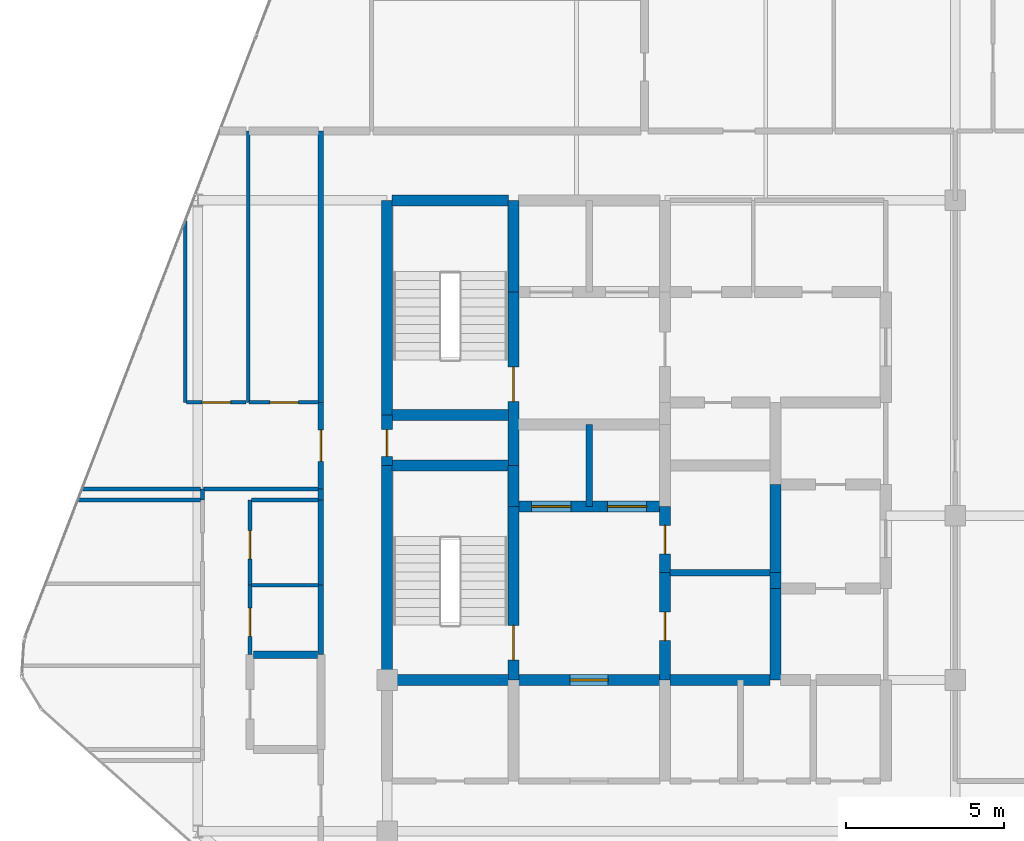
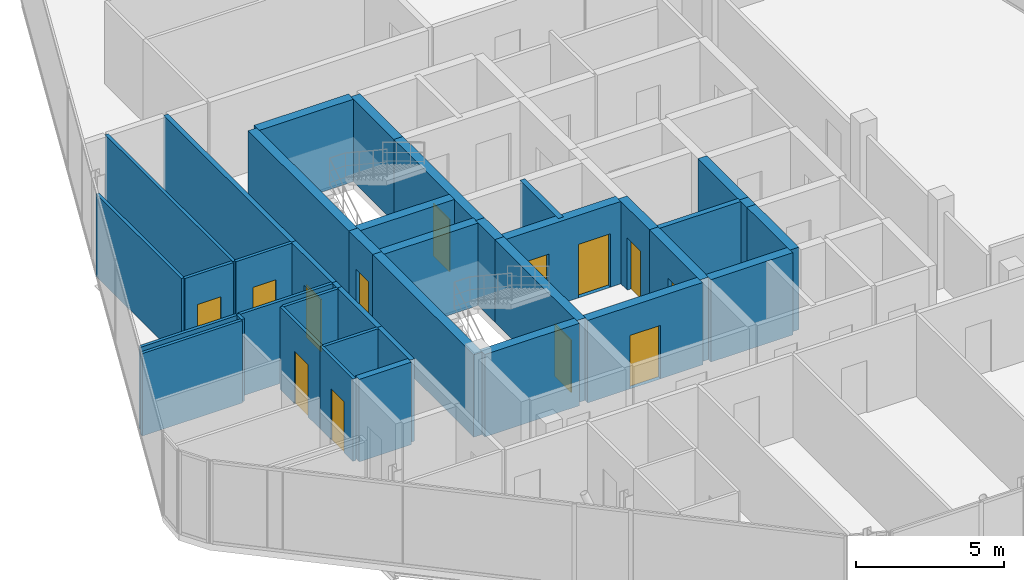
# One storey, part 23 of 27: 39 walls, 13 doors, 13 openings.
"""IFC4 building model written with IfcOpenShell, lengths in metres."""

from ifc_helpers import new_model, si_unit, direction, frame, frame_2d, origin, place, context, subcontext, project, spatial, rectangle, extrude, material, layer, layer_set, type_object, element, fill, save


model = new_model("IFC4")

# Units and contexts
model_context = context("Model", 3, precision=1e-05, world=origin(), true_north=direction((0.0, 1.0)))
body_context = subcontext(model_context, "Body", "Model", "MODEL_VIEW")
ifc_project = project(units=[si_unit("LENGTHUNIT", "METRE"), si_unit("AREAUNIT", "SQUARE_METRE"), si_unit("VOLUMEUNIT", "CUBIC_METRE"), si_unit("PLANEANGLEUNIT", "RADIAN"), si_unit("MASSUNIT", "GRAM", prefix="KILO")], contexts=[model_context])

# Site, building, storey
site_placement = place(None, origin())
site = spatial("IfcSite", under=ifc_project, at=site_placement, CompositionType="ELEMENT")
building_placement = place(site_placement, origin())
building = spatial("IfcBuilding", under=site, at=building_placement, Name="Keshet Zoharim Tower", CompositionType="ELEMENT")
storey_placement = place(building_placement, frame((0.0, 0.0, 307.300048828125)))
storey = spatial("IfcBuildingStorey", under=building, at=storey_placement, Name="L77", CompositionType="ELEMENT", Elevation=307.300048828125)

# Wall
ifc_material_1 = material(Name="Concrete C60/75", Category="concrete")
ifc_layer_1 = layer(ifc_material_1, 0.35009765625)
ifc_layer_set_1 = layer_set([ifc_layer_1], Name="Concrete C60/75")
wall_type_1 = type_object("IfcWallType", Name="WL-CORE-350", PredefinedType="SHEAR", material=ifc_layer_set_1)
wall_1_placement = place(storey_placement, frame((15.0, 22.699951171875, 0.0), z_axis=(0.0, 0.0, 1.0), x_axis=(0.0, 1.0, 0.0)))
element("IfcWall", 1, at=wall_1_placement, inside=storey, type_object=wall_type_1, Name="L77 Core Shear Wall 019", PredefinedType="SHEAR", context=body_context, shape_type="SweptSolid", body=[
    extrude(rectangle(XDim=6.800048828125, YDim=0.35009765625, at=frame_2d((3.39990234375, 0.0))), origin(), (0.0, 0.0, 1.0), 3.389892578125),
])

# Wall, opening, door
wall_2_placement = place(storey_placement, frame((15.0, 29.5, 0.0), z_axis=(0.0, 0.0, 1.0), x_axis=(0.0, 1.0, 0.0)))
wall_2 = element("IfcWall", 2, at=wall_2_placement, inside=storey, type_object=wall_type_1, Name="L77 Core Shear Wall 020", PredefinedType="SHEAR", context=body_context, shape_type="SweptSolid", body=[
    extrude(rectangle(XDim=1.60009765625, YDim=0.35009765625, at=frame_2d((0.800048828125, 0.0))), origin(), (0.0, 0.0, 1.0), 3.389892578125),
])
opening_1_placement = place(wall_2_placement, frame((0.287109375, 0.0, 0.0)))
opening_1 = element("IfcOpeningElement", 3, at=opening_1_placement, cuts=wall_2, Name="Opening D-RS85", PredefinedType="OPENING", context=body_context, shape_type="SweptSolid", body=[
    extrude(rectangle(XDim=0.85009765625, YDim=2.10009765625, at=frame_2d((0.425048828125, 1.050048828125))), frame((0.0, 0.18505859375, 0.0), z_axis=(0.0, -1.0, 0.0), x_axis=(1.0, 0.0, 0.0)), (0.0, 0.0, 1.0), 0.3701171875),
])
ifc_material_2 = material(Name="Hardwood Timber", Category="wood")
door_type_1 = type_object("IfcDoorType", Name="DR-RIS-085", OperationType="NOTDEFINED", PredefinedType="DOOR", material=ifc_material_2)
door_1_placement = place(opening_1_placement, origin())
door_1 = element("IfcDoor", 4, at=door_1_placement, inside=storey, type_object=door_type_1, Name="L77 Electrical Riser Access Cupboard Door", OperationType="SINGLE_SWING_RIGHT", OverallHeight=2.10009765625, OverallWidth=0.85009765625, PredefinedType="DOOR", context=body_context, shape_type="SweptSolid", body=[
    extrude(rectangle(XDim=0.85009765625, YDim=2.10009765625, at=frame_2d((0.425048828125, 1.050048828125))), frame((0.0, 0.02490234375, 0.0), z_axis=(0.0, -1.0, 0.0), x_axis=(1.0, 0.0, 0.0)), (0.0, 0.0, 1.0), 0.050048828125),
])
fill(opening_1, door_1)

# Wall
wall_3_placement = place(storey_placement, frame((15.0, 31.10009765625, 0.0), z_axis=(0.0, 0.0, 1.0), x_axis=(0.0, 1.0, 0.0)))
element("IfcWall", 5, at=wall_3_placement, inside=storey, type_object=wall_type_1, Name="L77 Core Shear Wall 021", PredefinedType="SHEAR", context=body_context, shape_type="SweptSolid", body=[
    extrude(rectangle(XDim=6.7998046875, YDim=0.35009765625, at=frame_2d((3.39990234375, 0.0))), origin(), (0.0, 0.0, 1.0), 3.389892578125),
])

# Wall, opening, door
wall_4_placement = place(storey_placement, frame((19.0, 22.699951171875, 0.0), z_axis=(0.0, 0.0, 1.0), x_axis=(0.0, 1.0, 0.0)))
wall_4 = element("IfcWall", 6, at=wall_4_placement, inside=storey, type_object=wall_type_1, Name="L77 Core Shear Wall 027", PredefinedType="SHEAR", context=body_context, shape_type="SweptSolid", body=[
    extrude(rectangle(XDim=5.5, YDim=0.35009765625, at=frame_2d((2.75, 0.0))), origin(), (0.0, 0.0, 1.0), 3.389892578125),
])
opening_2_placement = place(wall_4_placement, frame((0.631103515625, 0.0, 0.0)))
opening_2 = element("IfcOpeningElement", 7, at=opening_2_placement, cuts=wall_4, Name="Opening D-F611", PredefinedType="OPENING", context=body_context, shape_type="SweptSolid", body=[
    extrude(rectangle(XDim=1.10009765625, YDim=2.14990234375, at=frame_2d((0.550048828125, 1.074951171875))), frame((0.0, 0.18505859375, 0.0), z_axis=(0.0, -1.0, 0.0), x_axis=(1.0, 0.0, 0.0)), (0.0, 0.0, 1.0), 0.3701171875),
])
door_type_2 = type_object("IfcDoorType", Name="DR-FD60-110", OperationType="NOTDEFINED", PredefinedType="DOOR", material=ifc_material_2)
door_2_placement = place(opening_2_placement, origin())
door_2 = element("IfcDoor", 8, at=door_2_placement, inside=storey, type_object=door_type_2, Name="L77 Exit Stair ST-01 Fire Door", OperationType="SINGLE_SWING_LEFT", OverallHeight=2.14990234375, OverallWidth=1.10009765625, PredefinedType="DOOR", context=body_context, shape_type="SweptSolid", body=[
    extrude(rectangle(XDim=1.10009765625, YDim=2.14990234375, at=frame_2d((0.550048828125, 1.074951171875))), frame((0.0, 0.02490234375, 0.0), z_axis=(0.0, -1.0, 0.0), x_axis=(1.0, 0.0, 0.0)), (0.0, 0.0, 1.0), 0.050048828125),
])
fill(opening_2, door_2)

# Wall
wall_5_placement = place(storey_placement, frame((19.0, 28.199951171875, 0.0), z_axis=(0.0, 0.0, 1.0), x_axis=(0.0, 1.0, 0.0)))
element("IfcWall", 9, at=wall_5_placement, inside=storey, type_object=wall_type_1, Name="L77 Core Shear Wall 028", PredefinedType="SHEAR", context=body_context, shape_type="SweptSolid", body=[
    extrude(rectangle(XDim=1.300048828125, YDim=0.35009765625, at=frame_2d((0.64990234375, 0.0))), origin(), (0.0, 0.0, 1.0), 3.389892578125),
])

# Wall, opening, door
wall_6_placement = place(storey_placement, frame((19.0, 29.5, 0.0), z_axis=(0.0, 0.0, 1.0), x_axis=(0.0, 1.0, 0.0)))
wall_6 = element("IfcWall", 10, at=wall_6_placement, inside=storey, type_object=wall_type_1, Name="L77 Core Shear Wall 029", PredefinedType="SHEAR", context=body_context, shape_type="SweptSolid", body=[
    extrude(rectangle(XDim=5.5, YDim=0.35009765625, at=frame_2d((2.75, 0.0))), origin(), (0.0, 0.0, 1.0), 3.389892578125),
])
opening_3_placement = place(wall_6_placement, frame((2.02490234375, 0.0, 0.0)))
opening_3 = element("IfcOpeningElement", 11, at=opening_3_placement, cuts=wall_6, Name="Opening D-F611", PredefinedType="OPENING", context=body_context, shape_type="SweptSolid", body=[
    extrude(rectangle(XDim=1.10009765625, YDim=2.14990234375, at=frame_2d((0.550048828125, 1.074951171875))), frame((0.0, 0.18505859375, 0.0), z_axis=(0.0, -1.0, 0.0), x_axis=(1.0, 0.0, 0.0)), (0.0, 0.0, 1.0), 0.3701171875),
])
door_3_placement = place(opening_3_placement, origin())
door_3 = element("IfcDoor", 12, at=door_3_placement, inside=storey, type_object=door_type_2, Name="L77 Exit Stair ST-02 Fire Door", OperationType="SINGLE_SWING_RIGHT", OverallHeight=2.14990234375, OverallWidth=1.10009765625, PredefinedType="DOOR", context=body_context, shape_type="SweptSolid", body=[
    extrude(rectangle(XDim=1.10009765625, YDim=2.14990234375, at=frame_2d((0.550048828125, 1.074951171875))), frame((0.0, 0.02490234375, 0.0), z_axis=(0.0, -1.0, 0.0), x_axis=(1.0, 0.0, 0.0)), (0.0, 0.0, 1.0), 0.050048828125),
])
fill(opening_3, door_3)

# Wall
wall_7_placement = place(storey_placement, frame((19.0, 35.0, 0.0), z_axis=(0.0, 0.0, 1.0), x_axis=(0.0, 1.0, 0.0)))
element("IfcWall", 13, at=wall_7_placement, inside=storey, type_object=wall_type_1, Name="L77 Core Shear Wall 030", PredefinedType="SHEAR", context=body_context, shape_type="SweptSolid", body=[
    extrude(rectangle(XDim=2.89990234375, YDim=0.35009765625, at=frame_2d((1.449951171875, 0.0))), origin(), (0.0, 0.0, 1.0), 3.389892578125),
])

# Wall, opening, door
wall_8_placement = place(storey_placement, frame((23.800048828125, 22.699951171875, 0.0), z_axis=(0.0, 0.0, 1.0), x_axis=(0.0, 1.0, 0.0)))
wall_8 = element("IfcWall", 14, at=wall_8_placement, inside=storey, type_object=wall_type_1, Name="L77 Core Shear Wall 038", PredefinedType="SHEAR", context=body_context, shape_type="SweptSolid", body=[
    extrude(rectangle(XDim=3.400146484375, YDim=0.35009765625, at=frame_2d((1.7001953125, 0.0))), origin(), (0.0, 0.0, 1.0), 3.389892578125),
])
opening_4_placement = place(wall_8_placement, frame((1.25, 0.0, 0.0)))
opening_4 = element("IfcOpeningElement", 15, at=opening_4_placement, cuts=wall_8, Name="Opening D-F690", PredefinedType="OPENING", context=body_context, shape_type="SweptSolid", body=[
    extrude(rectangle(XDim=0.89990234375, YDim=2.14990234375, at=frame_2d((0.449951171875, 1.074951171875))), frame((0.0, 0.18505859375, 0.0), z_axis=(0.0, -1.0, 0.0), x_axis=(1.0, 0.0, 0.0)), (0.0, 0.0, 1.0), 0.3701171875),
])
door_type_3 = type_object("IfcDoorType", Name="DR-FD60-090", OperationType="NOTDEFINED", PredefinedType="DOOR", material=ifc_material_2)
door_4_placement = place(opening_4_placement, origin())
door_4 = element("IfcDoor", 16, at=door_4_placement, inside=storey, type_object=door_type_3, Name="L77 Core Linen Store Door", OperationType="SINGLE_SWING_RIGHT", OverallHeight=2.14990234375, OverallWidth=0.89990234375, PredefinedType="DOOR", context=body_context, shape_type="SweptSolid", body=[
    extrude(rectangle(XDim=0.89990234375, YDim=2.14990234375, at=frame_2d((0.449951171875, 1.074951171875))), frame((0.0, 0.02490234375, 0.0), z_axis=(0.0, -1.0, 0.0), x_axis=(1.0, 0.0, 0.0)), (0.0, 0.0, 1.0), 0.050048828125),
])
fill(opening_4, door_4)

wall_9_placement = place(storey_placement, frame((23.800048828125, 26.10009765625, 0.0), z_axis=(0.0, 0.0, 1.0), x_axis=(0.0, 1.0, 0.0)))
wall_9 = element("IfcWall", 17, at=wall_9_placement, inside=storey, type_object=wall_type_1, Name="L77 Core Shear Wall 039", PredefinedType="SHEAR", context=body_context, shape_type="SweptSolid", body=[
    extrude(rectangle(XDim=2.099853515625, YDim=0.35009765625, at=frame_2d((1.0498046875, 0.0))), origin(), (0.0, 0.0, 1.0), 3.389892578125),
])
opening_5_placement = place(wall_9_placement, frame((0.60009765625, 0.0, 0.0)))
opening_5 = element("IfcOpeningElement", 18, at=opening_5_placement, cuts=wall_9, Name="Opening D-F690", PredefinedType="OPENING", context=body_context, shape_type="SweptSolid", body=[
    extrude(rectangle(XDim=0.89990234375, YDim=2.14990234375, at=frame_2d((0.449951171875, 1.074951171875))), frame((0.0, 0.18505859375, 0.0), z_axis=(0.0, -1.0, 0.0), x_axis=(1.0, 0.0, 0.0)), (0.0, 0.0, 1.0), 0.3701171875),
])
door_5_placement = place(opening_5_placement, origin())
door_5 = element("IfcDoor", 19, at=door_5_placement, inside=storey, type_object=door_type_3, Name="L77 Core Electrical Room Door", OperationType="SINGLE_SWING_LEFT", OverallHeight=2.14990234375, OverallWidth=0.89990234375, PredefinedType="DOOR", context=body_context, shape_type="SweptSolid", body=[
    extrude(rectangle(XDim=0.89990234375, YDim=2.14990234375, at=frame_2d((0.449951171875, 1.074951171875))), frame((0.0, 0.02490234375, 0.0), z_axis=(0.0, -1.0, 0.0), x_axis=(1.0, 0.0, 0.0)), (0.0, 0.0, 1.0), 0.050048828125),
])
fill(opening_5, door_5)

# Walls
wall_10_placement = place(storey_placement, frame((27.300048828125, 22.699951171875, 0.0), z_axis=(0.0, 0.0, 1.0), x_axis=(0.0, 1.0, 0.0)))
element("IfcWall", 20, at=wall_10_placement, inside=storey, type_object=wall_type_1, Name="L77 Core Shear Wall 047", PredefinedType="SHEAR", context=body_context, shape_type="SweptSolid", body=[
    extrude(rectangle(XDim=2.900146484375, YDim=0.35009765625, at=frame_2d((1.4501953125, 0.0))), origin(), (0.0, 0.0, 1.0), 3.389892578125),
])
wall_11_placement = place(storey_placement, frame((27.300048828125, 25.60009765625, 0.0), z_axis=(0.0, 0.0, 1.0), x_axis=(0.0, 1.0, 0.0)))
element("IfcWall", 21, at=wall_11_placement, inside=storey, type_object=wall_type_1, Name="L77 Core Shear Wall 048", PredefinedType="SHEAR", context=body_context, shape_type="SweptSolid", body=[
    extrude(rectangle(XDim=0.5, YDim=0.35009765625, at=frame_2d((0.25, 0.0))), origin(), (0.0, 0.0, 1.0), 3.389892578125),
])
wall_12_placement = place(storey_placement, frame((27.300048828125, 26.10009765625, 0.0), z_axis=(0.0, 0.0, 1.0), x_axis=(0.0, 1.0, 0.0)))
element("IfcWall", 22, at=wall_12_placement, inside=storey, type_object=wall_type_1, Name="L77 Core Shear Wall 049", PredefinedType="SHEAR", context=body_context, shape_type="SweptSolid", body=[
    extrude(rectangle(XDim=2.7998046875, YDim=0.35009765625, at=frame_2d((1.39990234375, 0.0))), origin(), (0.0, 0.0, 1.0), 3.389892578125),
])
wall_13_placement = place(storey_placement, frame((15.159912109375, 22.699951171875, 0.0), z_axis=(0.0, 0.0, 1.0), x_axis=(1.0, 0.0, 0.0)))
element("IfcWall", 23, at=wall_13_placement, inside=storey, type_object=wall_type_1, Name="L77 Core Shear Wall 097", PredefinedType="SHEAR", context=body_context, shape_type="SweptSolid", body=[
    extrude(rectangle(XDim=3.68017578125, YDim=0.35009765625, at=frame_2d((1.840087890625, 0.0))), origin(), (0.0, 0.0, 1.0), 3.389892578125),
])

# Wall, opening, door
wall_14_placement = place(storey_placement, frame((19.159912109375, 22.699951171875, 0.0), z_axis=(0.0, 0.0, 1.0), x_axis=(1.0, 0.0, 0.0)))
wall_14 = element("IfcWall", 24, at=wall_14_placement, inside=storey, type_object=wall_type_1, Name="L77 Core Shear Wall 098", PredefinedType="SHEAR", context=body_context, shape_type="SweptSolid", body=[
    extrude(rectangle(XDim=4.47998046875, YDim=0.35009765625, at=frame_2d((2.239990234375, 0.0))), origin(), (0.0, 0.0, 1.0), 3.389892578125),
])
opening_6_placement = place(wall_14_placement, frame((1.639892578125, 0.0, 0.0)))
opening_6 = element("IfcOpeningElement", 25, at=opening_6_placement, cuts=wall_14, Name="Opening D-F612", PredefinedType="OPENING", context=body_context, shape_type="SweptSolid", body=[
    extrude(rectangle(XDim=1.199951171875, YDim=2.199951171875, at=frame_2d((0.60009765625, 1.10009765625))), frame((0.0, 0.18505859375, 0.0), z_axis=(0.0, -1.0, 0.0), x_axis=(1.0, 0.0, 0.0)), (0.0, 0.0, 1.0), 0.3701171875),
])
door_type_4 = type_object("IfcDoorType", Name="DR-FD60-120", OperationType="NOTDEFINED", PredefinedType="DOOR", material=ifc_material_2)
door_6_placement = place(opening_6_placement, origin())
door_6 = element("IfcDoor", 26, at=door_6_placement, inside=storey, type_object=door_type_4, Name="L77 South Core Lobby Fire Door", OperationType="SINGLE_SWING_RIGHT", OverallHeight=2.199951171875, OverallWidth=1.199951171875, PredefinedType="DOOR", context=body_context, shape_type="SweptSolid", body=[
    extrude(rectangle(XDim=1.199951171875, YDim=2.199951171875, at=frame_2d((0.60009765625, 1.10009765625))), frame((0.0, 0.02490234375, 0.0), z_axis=(0.0, -1.0, 0.0), x_axis=(1.0, 0.0, 0.0)), (0.0, 0.0, 1.0), 0.050048828125),
])
fill(opening_6, door_6)

# Wall
wall_15_placement = place(storey_placement, frame((23.9599609375, 22.699951171875, 0.0), z_axis=(0.0, 0.0, 1.0), x_axis=(1.0, 0.0, 0.0)))
element("IfcWall", 27, at=wall_15_placement, inside=storey, type_object=wall_type_1, Name="L77 Core Shear Wall 099", PredefinedType="SHEAR", context=body_context, shape_type="SweptSolid", body=[
    extrude(rectangle(XDim=3.179931640625, YDim=0.35009765625, at=frame_2d((1.58984375, 0.0))), origin(), (0.0, 0.0, 1.0), 3.389892578125),
])

# Wall, openings, doors
wall_16_placement = place(storey_placement, frame((19.159912109375, 28.199951171875, 0.0), z_axis=(0.0, 0.0, 1.0), x_axis=(1.0, 0.0, 0.0)))
wall_16 = element("IfcWall", 28, at=wall_16_placement, inside=storey, type_object=wall_type_1, Name="L77 Core Shear Wall 108", PredefinedType="SHEAR", context=body_context, shape_type="SweptSolid", body=[
    extrude(rectangle(XDim=4.47998046875, YDim=0.35009765625, at=frame_2d((2.239990234375, 0.0))), origin(), (0.0, 0.0, 1.0), 3.389892578125),
])
opening_7_placement = place(wall_16_placement, frame((0.4150390625, 0.0, 0.0)))
opening_7 = element("IfcOpeningElement", 29, at=opening_7_placement, cuts=wall_16, Name="Opening LD-01", PredefinedType="OPENING", context=body_context, shape_type="SweptSolid", body=[
    extrude(rectangle(XDim=1.25, YDim=2.199951171875, at=frame_2d((0.625, 1.10009765625))), frame((0.0, 0.18505859375, 0.0), z_axis=(0.0, -1.0, 0.0), x_axis=(1.0, 0.0, 0.0)), (0.0, 0.0, 1.0), 0.3701171875),
])
opening_8_placement = place(wall_16_placement, frame((2.81494140625, 0.0, 0.0)))
opening_8 = element("IfcOpeningElement", 30, at=opening_8_placement, cuts=wall_16, Name="Opening LD-01", PredefinedType="OPENING", context=body_context, shape_type="SweptSolid", body=[
    extrude(rectangle(XDim=1.25, YDim=2.199951171875, at=frame_2d((0.625, 1.10009765625))), frame((0.0, 0.18505859375, 0.0), z_axis=(0.0, -1.0, 0.0), x_axis=(1.0, 0.0, 0.0)), (0.0, 0.0, 1.0), 0.3701171875),
])
ifc_material_3 = material(Name="Steel S355", Category="steel")
door_type_5 = type_object("IfcDoorType", Name="DR-LD01-125", OperationType="DOUBLE_DOOR_SLIDING", PredefinedType="DOOR", material=ifc_material_3)
door_7_placement = place(opening_7_placement, origin())
door_7 = element("IfcDoor", 31, at=door_7_placement, inside=storey, type_object=door_type_5, Name="L77 Passenger Lift Landing Door LF-09", OperationType="DOUBLE_DOOR_SLIDING", OverallHeight=2.199951171875, OverallWidth=1.25, PredefinedType="DOOR", context=body_context, shape_type="SweptSolid", body=[
    extrude(rectangle(XDim=1.25, YDim=2.199951171875, at=frame_2d((0.625, 1.10009765625))), frame((0.0, 0.02490234375, 0.0), z_axis=(0.0, -1.0, 0.0), x_axis=(1.0, 0.0, 0.0)), (0.0, 0.0, 1.0), 0.050048828125),
])
fill(opening_7, door_7)
door_8_placement = place(opening_8_placement, origin())
door_8 = element("IfcDoor", 32, at=door_8_placement, inside=storey, type_object=door_type_5, Name="L77 Passenger Lift Landing Door LF-10", OperationType="DOUBLE_DOOR_SLIDING", OverallHeight=2.199951171875, OverallWidth=1.25, PredefinedType="DOOR", context=body_context, shape_type="SweptSolid", body=[
    extrude(rectangle(XDim=1.25, YDim=2.199951171875, at=frame_2d((0.625, 1.10009765625))), frame((0.0, 0.02490234375, 0.0), z_axis=(0.0, -1.0, 0.0), x_axis=(1.0, 0.0, 0.0)), (0.0, 0.0, 1.0), 0.050048828125),
])
fill(opening_8, door_8)

# Walls
for number, where, z_axis, x_axis, name in (
    (33, (15.159912109375, 29.5, 0.0), (0.0, 0.0, 1.0), (1.0, 0.0, 0.0), "L77 Core Shear Wall 114"),
    (34, (15.159912109375, 31.10009765625, 0.0), (0.0, 0.0, 1.0), (1.0, 0.0, 0.0), "L77 Core Shear Wall 117"),
    (35, (15.159912109375, 37.89990234375, 0.0), (0.0, 0.0, 1.0), (1.0, 0.0, 0.0), "L77 Core Shear Wall 125"),
):
    element("IfcWall", number, at=place(storey_placement, frame(where, z_axis=z_axis, x_axis=x_axis)), inside=storey, type_object=wall_type_1, Name=name, PredefinedType="SHEAR", context=body_context, shape_type="SweptSolid", body=[
        extrude(rectangle(XDim=3.68017578125, YDim=0.35009765625, at=frame_2d((1.840087890625, 0.0))), origin(), (0.0, 0.0, 1.0), 3.389892578125),
    ])
ifc_material_4 = material(Name="Gypsum Plasterboard", Category="gypsum")
ifc_layer_2 = layer(ifc_material_4, 0.179931640625)
ifc_layer_set_2 = layer_set([ifc_layer_2], Name="Gypsum Plasterboard")
wall_type_2 = type_object("IfcWallType", Name="WL-CORR-180", PredefinedType="STANDARD", material=ifc_layer_set_2)
wall_17_placement = place(storey_placement, frame((12.89990234375, 23.501953125, 0.0), z_axis=(0.0, 0.0, 1.0), x_axis=(0.0, 1.0, 0.0)))
element("IfcWall", 36, at=wall_17_placement, inside=storey, type_object=wall_type_2, Name="L77 Interior Wall 011", PredefinedType="STANDARD", context=body_context, shape_type="SweptSolid", body=[
    extrude(rectangle(XDim=2.212158203125, YDim=0.179931640625, at=frame_2d((1.10595703125, 0.0))), origin(), (0.0, 0.0, 1.0), 3.389892578125),
])
wall_18_placement = place(storey_placement, frame((12.89990234375, 25.714111328125, 0.0), z_axis=(0.0, 0.0, 1.0), x_axis=(0.0, 1.0, 0.0)))
element("IfcWall", 37, at=wall_18_placement, inside=storey, type_object=wall_type_2, Name="L77 Interior Wall 012", PredefinedType="STANDARD", context=body_context, shape_type="SweptSolid", body=[
    extrude(rectangle(XDim=2.685791015625, YDim=0.179931640625, at=frame_2d((1.3427734375, 0.0))), origin(), (0.0, 0.0, 1.0), 3.389892578125),
])
wall_19_placement = place(storey_placement, frame((12.89990234375, 28.39990234375, 0.0), z_axis=(0.0, 0.0, 1.0), x_axis=(0.0, 1.0, 0.0)))
element("IfcWall", 38, at=wall_19_placement, inside=storey, type_object=wall_type_2, Name="L77 Interior Wall 013", PredefinedType="STANDARD", context=body_context, shape_type="SweptSolid", body=[
    extrude(rectangle(XDim=0.35009765625, YDim=0.179931640625, at=frame_2d((0.175048828125, 0.0))), origin(), (0.0, 0.0, 1.0), 3.389892578125),
])

# Wall, opening, door
wall_20_placement = place(storey_placement, frame((12.89990234375, 28.75, 0.0), z_axis=(0.0, 0.0, 1.0), x_axis=(0.0, 1.0, 0.0)))
wall_20 = element("IfcWall", 39, at=wall_20_placement, inside=storey, type_object=wall_type_2, Name="L77 Interior Wall 014", PredefinedType="STANDARD", context=body_context, shape_type="SweptSolid", body=[
    extrude(rectangle(XDim=2.75, YDim=0.179931640625, at=frame_2d((1.375, 0.0))), origin(), (0.0, 0.0, 1.0), 3.389892578125),
])
opening_9_placement = place(wall_20_placement, frame((0.875, 0.0, 0.0)))
opening_9 = element("IfcOpeningElement", 40, at=opening_9_placement, cuts=wall_20, Name="Opening D-F310", PredefinedType="OPENING", context=body_context, shape_type="SweptSolid", body=[
    extrude(rectangle(XDim=1.0, YDim=2.14990234375, at=frame_2d((0.5, 1.074951171875))), frame((0.0, 0.10009765625, 0.0), z_axis=(0.0, -1.0, 0.0), x_axis=(1.0, 0.0, 0.0)), (0.0, 0.0, 1.0), 0.199951171875),
])
door_type_6 = type_object("IfcDoorType", Name="DR-FD30-100", OperationType="NOTDEFINED", PredefinedType="DOOR", material=ifc_material_2)
door_9_placement = place(opening_9_placement, origin())
door_9 = element("IfcDoor", 41, at=door_9_placement, inside=storey, type_object=door_type_6, Name="Apartment 7705 Entrance Door", OperationType="SINGLE_SWING_LEFT", OverallHeight=2.14990234375, OverallWidth=1.0, PredefinedType="DOOR", context=body_context, shape_type="SweptSolid", body=[
    extrude(rectangle(XDim=1.0, YDim=2.14990234375, at=frame_2d((0.5, 1.074951171875))), frame((0.0, 0.02490234375, 0.0), z_axis=(0.0, -1.0, 0.0), x_axis=(1.0, 0.0, 0.0)), (0.0, 0.0, 1.0), 0.050048828125),
])
fill(opening_9, door_9)

# Walls
wall_21_placement = place(storey_placement, frame((12.89990234375, 31.5, 0.0), z_axis=(0.0, 0.0, 1.0), x_axis=(0.0, 1.0, 0.0)))
element("IfcWall", 42, at=wall_21_placement, inside=storey, type_object=wall_type_2, Name="L77 Interior Wall 015", PredefinedType="STANDARD", context=body_context, shape_type="SweptSolid", body=[
    extrude(rectangle(XDim=8.60009765625, YDim=0.179931640625, at=frame_2d((4.300048828125, 0.0))), origin(), (0.0, 0.0, 1.0), 3.389892578125),
])
ifc_material_5 = material(Name="Concrete C50/60", Category="concrete")
ifc_layer_3 = layer(ifc_material_5, 0.199951171875)
ifc_layer_set_3 = layer_set([ifc_layer_3], Name="Concrete C50/60")
wall_type_3 = type_object("IfcWallType", Name="WL-FIRE-200", PredefinedType="STANDARD", material=ifc_layer_set_3)
wall_22_placement = place(storey_placement, frame((21.39990234375, 28.199951171875, 0.0), z_axis=(0.0, 0.0, 1.0), x_axis=(0.0, 1.0, 0.0)))
element("IfcWall", 43, at=wall_22_placement, inside=storey, type_object=wall_type_3, Name="L77 Interior Wall 032", PredefinedType="STANDARD", context=body_context, shape_type="SweptSolid", body=[
    extrude(rectangle(XDim=2.60009765625, YDim=0.199951171875, at=frame_2d((1.300048828125, 0.0))), origin(), (0.0, 0.0, 1.0), 3.389892578125),
])
wall_23_placement = place(storey_placement, frame((23.9599609375, 26.10009765625, 0.0), z_axis=(0.0, 0.0, 1.0), x_axis=(1.0, 0.0, 0.0)))
element("IfcWall", 44, at=wall_23_placement, inside=storey, type_object=wall_type_3, Name="L77 Interior Wall 107", PredefinedType="STANDARD", context=body_context, shape_type="SweptSolid", body=[
    extrude(rectangle(XDim=3.179931640625, YDim=0.199951171875, at=frame_2d((1.58984375, 0.0))), origin(), (0.0, 0.0, 1.0), 3.389892578125),
])
ifc_layer_4 = layer(ifc_material_5, 0.25)
ifc_layer_set_4 = layer_set([ifc_layer_4], Name="Concrete C50/60")
wall_type_4 = type_object("IfcWallType", Name="WL-MAMAD-250", PredefinedType="STANDARD", material=ifc_layer_set_4)
wall_24_placement = place(storey_placement, frame((10.760009765625, 23.5, 0.0), z_axis=(0.0, 0.0, 1.0), x_axis=(1.0, 0.0, 0.0)))
element("IfcWall", 45, at=wall_24_placement, inside=storey, type_object=wall_type_4, Name="L77 Interior Wall 103", PredefinedType="STANDARD", context=body_context, shape_type="SweptSolid", body=[
    extrude(rectangle(XDim=2.030029296875, YDim=0.25, at=frame_2d((1.01513671875, 0.0))), origin(), (0.0, 0.0, 1.0), 3.389892578125),
])
ifc_layer_5 = layer(ifc_material_4, 0.1201171875)
ifc_layer_set_5 = layer_set([ifc_layer_5], Name="Gypsum Plasterboard")
wall_type_5 = type_object("IfcWallType", Name="WL-PART-120", PredefinedType="PARTITIONING", material=ifc_layer_set_5)
wall_25_placement = place(storey_placement, frame((8.60009765625, 31.5, 0.0), z_axis=(0.0, 0.0, 1.0), x_axis=(0.0, 1.0, 0.0)))
element("IfcWall", 46, at=wall_25_placement, inside=storey, type_object=wall_type_5, Name="L77 Interior Wall 001", PredefinedType="PARTITIONING", context=body_context, shape_type="SweptSolid", body=[
    extrude(rectangle(XDim=5.75, YDim=0.1201171875, at=frame_2d((2.875, 0.0))), origin(), (0.0, 0.0, 1.0), 3.389892578125),
])
wall_26_placement = place(storey_placement, frame((9.14990234375, 28.39990234375, 0.0), z_axis=(0.0, 0.0, 1.0), x_axis=(0.0, 1.0, 0.0)))
element("IfcWall", 47, at=wall_26_placement, inside=storey, type_object=wall_type_5, Name="L77 Interior Wall 004", PredefinedType="PARTITIONING", context=body_context, shape_type="SweptSolid", body=[
    extrude(rectangle(XDim=0.35009765625, YDim=0.1201171875, at=frame_2d((0.175048828125, 0.0))), origin(), (0.0, 0.0, 1.0), 3.389892578125),
])

# Wall, opening, door
wall_27_placement = place(storey_placement, frame((10.64990234375, 25.714111328125, 0.0), z_axis=(0.0, 0.0, 1.0), x_axis=(0.0, 1.0, 0.0)))
wall_27 = element("IfcWall", 48, at=wall_27_placement, inside=storey, type_object=wall_type_5, Name="L77 Interior Wall 008", PredefinedType="PARTITIONING", context=body_context, shape_type="SweptSolid", body=[
    extrude(rectangle(XDim=2.685791015625, YDim=0.1201171875, at=frame_2d((1.3427734375, 0.0))), origin(), (0.0, 0.0, 1.0), 3.389892578125),
])
opening_10_placement = place(wall_27_placement, frame((0.822021484375, 0.0, 0.0)))
opening_10 = element("IfcOpeningElement", 49, at=opening_10_placement, cuts=wall_27, Name="Opening D-IN90", PredefinedType="OPENING", context=body_context, shape_type="SweptSolid", body=[
    extrude(rectangle(XDim=0.89990234375, YDim=2.14990234375, at=frame_2d((0.449951171875, 1.074951171875))), frame((0.0, 0.070068359375, 0.0), z_axis=(0.0, -1.0, 0.0), x_axis=(1.0, 0.0, 0.0)), (0.0, 0.0, 1.0), 0.14013671875),
])
door_type_7 = type_object("IfcDoorType", Name="DR-INT-090", OperationType="NOTDEFINED", PredefinedType="DOOR", material=ifc_material_2)
door_10_placement = place(opening_10_placement, origin())
door_10 = element("IfcDoor", 50, at=door_10_placement, inside=storey, type_object=door_type_7, Name="Apartment 7704 Kitchen Door", OperationType="SINGLE_SWING_LEFT", OverallHeight=2.14990234375, OverallWidth=0.89990234375, PredefinedType="DOOR", context=body_context, shape_type="SweptSolid", body=[
    extrude(rectangle(XDim=0.89990234375, YDim=2.14990234375, at=frame_2d((0.449951171875, 1.074951171875))), frame((0.0, 0.02490234375, 0.0), z_axis=(0.0, -1.0, 0.0), x_axis=(1.0, 0.0, 0.0)), (0.0, 0.0, 1.0), 0.050048828125),
])
fill(opening_10, door_10)

# Walls
wall_28_placement = place(storey_placement, frame((5.201904296875, 28.39990234375, 0.0), z_axis=(0.0, 0.0, 1.0), x_axis=(1.0, 0.0, 0.0)))
element("IfcWall", 51, at=wall_28_placement, inside=storey, type_object=wall_type_5, Name="L77 Interior Wall 109", PredefinedType="PARTITIONING", context=body_context, shape_type="SweptSolid", body=[
    extrude(rectangle(XDim=3.883056640625, YDim=0.1201171875, at=frame_2d((1.94140625, 0.0))), origin(), (0.0, 0.0, 1.0), 3.389892578125),
])
wall_29_placement = place(storey_placement, frame((10.695068359375, 28.39990234375, 0.0), z_axis=(0.0, 0.0, 1.0), x_axis=(1.0, 0.0, 0.0)))
element("IfcWall", 52, at=wall_29_placement, inside=storey, type_object=wall_type_5, Name="L77 Interior Wall 110", PredefinedType="PARTITIONING", context=body_context, shape_type="SweptSolid", body=[
    extrude(rectangle(XDim=2.1298828125, YDim=0.1201171875, at=frame_2d((1.06494140625, 0.0))), origin(), (0.0, 0.0, 1.0), 3.389892578125),
])
wall_30_placement = place(storey_placement, frame((5.3369140625, 28.75, 0.0), z_axis=(0.0, 0.0, 1.0), x_axis=(1.0, 0.0, 0.0)))
element("IfcWall", 53, at=wall_30_placement, inside=storey, type_object=wall_type_5, Name="L77 Interior Wall 111", PredefinedType="PARTITIONING", context=body_context, shape_type="SweptSolid", body=[
    extrude(rectangle(XDim=3.748046875, YDim=0.1201171875, at=frame_2d((1.8740234375, 0.0))), origin(), (0.0, 0.0, 1.0), 3.389892578125),
])
wall_31_placement = place(storey_placement, frame((9.175048828125, 28.75, 0.0), z_axis=(0.0, 0.0, 1.0), x_axis=(1.0, 0.0, 0.0)))
element("IfcWall", 54, at=wall_31_placement, inside=storey, type_object=wall_type_5, Name="L77 Interior Wall 112", PredefinedType="PARTITIONING", context=body_context, shape_type="SweptSolid", body=[
    extrude(rectangle(XDim=3.64990234375, YDim=0.1201171875, at=frame_2d((1.824951171875, 0.0))), origin(), (0.0, 0.0, 1.0), 3.389892578125),
])

# Wall, opening, door
wall_32_placement = place(storey_placement, frame((8.64501953125, 31.5, 0.0), z_axis=(0.0, 0.0, 1.0), x_axis=(1.0, 0.0, 0.0)))
wall_32 = element("IfcWall", 55, at=wall_32_placement, inside=storey, type_object=wall_type_5, Name="L77 Interior Wall 118", PredefinedType="PARTITIONING", context=body_context, shape_type="SweptSolid", body=[
    extrude(rectangle(XDim=1.887939453125, YDim=0.1201171875, at=frame_2d((0.94384765625, 0.0))), origin(), (0.0, 0.0, 1.0), 3.389892578125),
])
opening_11_placement = place(wall_32_placement, frame((0.493896484375, 0.0, 0.0)))
opening_11 = element("IfcOpeningElement", 56, at=opening_11_placement, cuts=wall_32, Name="Opening D-IN90", PredefinedType="OPENING", context=body_context, shape_type="SweptSolid", body=[
    extrude(rectangle(XDim=0.89990234375, YDim=2.14990234375, at=frame_2d((0.449951171875, 1.074951171875))), frame((0.0, 0.070068359375, 0.0), z_axis=(0.0, -1.0, 0.0), x_axis=(1.0, 0.0, 0.0)), (0.0, 0.0, 1.0), 0.14013671875),
])
door_11_placement = place(opening_11_placement, origin())
door_11 = element("IfcDoor", 57, at=door_11_placement, inside=storey, type_object=door_type_7, Name="Apartment 7705 Kitchen Door", OperationType="SINGLE_SWING_LEFT", OverallHeight=2.14990234375, OverallWidth=0.89990234375, PredefinedType="DOOR", context=body_context, shape_type="SweptSolid", body=[
    extrude(rectangle(XDim=0.89990234375, YDim=2.14990234375, at=frame_2d((0.449951171875, 1.074951171875))), frame((0.0, 0.02490234375, 0.0), z_axis=(0.0, -1.0, 0.0), x_axis=(1.0, 0.0, 0.0)), (0.0, 0.0, 1.0), 0.050048828125),
])
fill(opening_11, door_11)

# Wall
ifc_layer_6 = layer(ifc_material_4, 0.1201171875)
ifc_layer_set_6 = layer_set([ifc_layer_6], Name="Gypsum Plasterboard")
wall_type_6 = type_object("IfcWallType", Name="WL-WET-120", PredefinedType="PARTITIONING", material=ifc_layer_set_6)
wall_33_placement = place(storey_placement, frame((10.60009765625, 31.5, 0.0), z_axis=(0.0, 0.0, 1.0), x_axis=(0.0, 1.0, 0.0)))
element("IfcWall", 58, at=wall_33_placement, inside=storey, type_object=wall_type_6, Name="L77 Interior Wall 005", PredefinedType="PARTITIONING", context=body_context, shape_type="SweptSolid", body=[
    extrude(rectangle(XDim=8.60009765625, YDim=0.1201171875, at=frame_2d((4.300048828125, 0.0))), origin(), (0.0, 0.0, 1.0), 3.389892578125),
])

# Wall, opening, door
wall_34_placement = place(storey_placement, frame((10.64990234375, 23.501953125, 0.0), z_axis=(0.0, 0.0, 1.0), x_axis=(0.0, 1.0, 0.0)))
wall_34 = element("IfcWall", 59, at=wall_34_placement, inside=storey, type_object=wall_type_6, Name="L77 Interior Wall 007", PredefinedType="PARTITIONING", context=body_context, shape_type="SweptSolid", body=[
    extrude(rectangle(XDim=2.212158203125, YDim=0.1201171875, at=frame_2d((1.10595703125, 0.0))), origin(), (0.0, 0.0, 1.0), 3.389892578125),
])
opening_12_placement = place(wall_34_placement, frame((0.577880859375, 0.0, 0.0)))
opening_12 = element("IfcOpeningElement", 60, at=opening_12_placement, cuts=wall_34, Name="Opening D-WT90", PredefinedType="OPENING", context=body_context, shape_type="SweptSolid", body=[
    extrude(rectangle(XDim=0.89990234375, YDim=2.10009765625, at=frame_2d((0.449951171875, 1.050048828125))), frame((0.0, 0.070068359375, 0.0), z_axis=(0.0, -1.0, 0.0), x_axis=(1.0, 0.0, 0.0)), (0.0, 0.0, 1.0), 0.14013671875),
])
door_type_8 = type_object("IfcDoorType", Name="DR-WET-090", OperationType="NOTDEFINED", PredefinedType="DOOR", material=ifc_material_2)
door_12_placement = place(opening_12_placement, origin())
door_12 = element("IfcDoor", 61, at=door_12_placement, inside=storey, type_object=door_type_8, Name="Apartment 7704 Bathroom Door", OperationType="SINGLE_SWING_RIGHT", OverallHeight=2.10009765625, OverallWidth=0.89990234375, PredefinedType="DOOR", context=body_context, shape_type="SweptSolid", body=[
    extrude(rectangle(XDim=0.89990234375, YDim=2.10009765625, at=frame_2d((0.449951171875, 1.050048828125))), frame((0.0, 0.02490234375, 0.0), z_axis=(0.0, -1.0, 0.0), x_axis=(1.0, 0.0, 0.0)), (0.0, 0.0, 1.0), 0.050048828125),
])
fill(opening_12, door_12)

# Wall
wall_35_placement = place(storey_placement, frame((10.695068359375, 25.699951171875, 0.0), z_axis=(0.0, 0.0, 1.0), x_axis=(1.0, 0.0, 0.0)))
element("IfcWall", 62, at=wall_35_placement, inside=storey, type_object=wall_type_6, Name="L77 Interior Wall 105", PredefinedType="PARTITIONING", context=body_context, shape_type="SweptSolid", body=[
    extrude(rectangle(XDim=2.1298828125, YDim=0.1201171875, at=frame_2d((1.06494140625, 0.0))), origin(), (0.0, 0.0, 1.0), 3.389892578125),
])

# Wall, opening, door
wall_36_placement = place(storey_placement, frame((10.623046875, 31.5, 0.0), z_axis=(0.0, 0.0, 1.0), x_axis=(1.0, 0.0, 0.0)))
wall_36 = element("IfcWall", 63, at=wall_36_placement, inside=storey, type_object=wall_type_6, Name="L77 Interior Wall 119", PredefinedType="PARTITIONING", context=body_context, shape_type="SweptSolid", body=[
    extrude(rectangle(XDim=2.201904296875, YDim=0.1201171875, at=frame_2d((1.10107421875, 0.0))), origin(), (0.0, 0.0, 1.0), 3.389892578125),
])
opening_13_placement = place(wall_36_placement, frame((0.666015625, 0.0, 0.0)))
opening_13 = element("IfcOpeningElement", 64, at=opening_13_placement, cuts=wall_36, Name="Opening D-WT90", PredefinedType="OPENING", context=body_context, shape_type="SweptSolid", body=[
    extrude(rectangle(XDim=0.89990234375, YDim=2.10009765625, at=frame_2d((0.449951171875, 1.050048828125))), frame((0.0, 0.070068359375, 0.0), z_axis=(0.0, -1.0, 0.0), x_axis=(1.0, 0.0, 0.0)), (0.0, 0.0, 1.0), 0.14013671875),
])
door_13_placement = place(opening_13_placement, origin())
door_13 = element("IfcDoor", 65, at=door_13_placement, inside=storey, type_object=door_type_8, Name="Apartment 7705 Bathroom Door", OperationType="SINGLE_SWING_RIGHT", OverallHeight=2.10009765625, OverallWidth=0.89990234375, PredefinedType="DOOR", context=body_context, shape_type="SweptSolid", body=[
    extrude(rectangle(XDim=0.89990234375, YDim=2.10009765625, at=frame_2d((0.449951171875, 1.050048828125))), frame((0.0, 0.02490234375, 0.0), z_axis=(0.0, -1.0, 0.0), x_axis=(1.0, 0.0, 0.0)), (0.0, 0.0, 1.0), 0.050048828125),
])
fill(opening_13, door_13)

save(model, "model.ifc")
